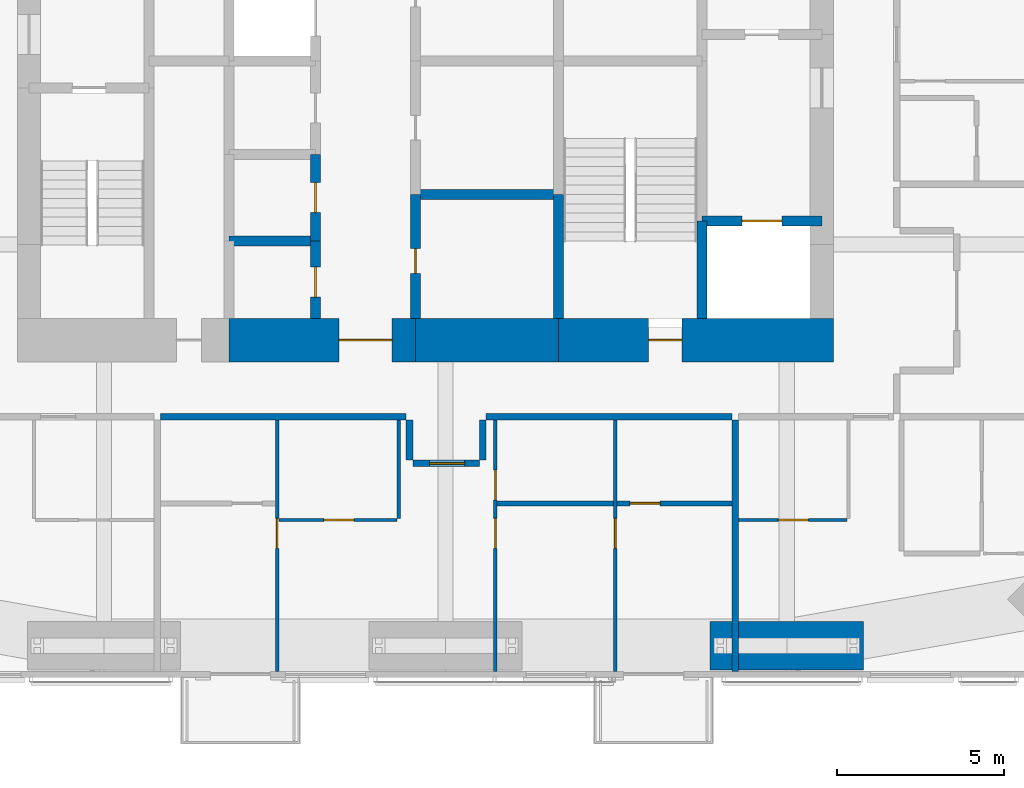
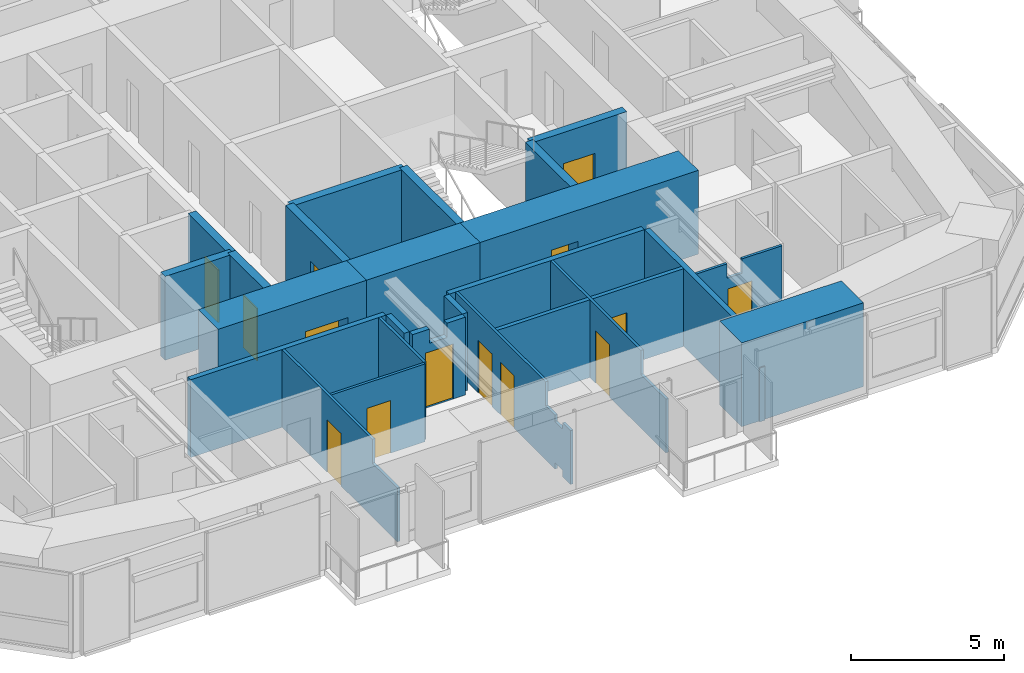
# One storey, part 16 of 22: 26 walls, 14 doors, 14 openings.
"""IFC4 building model written with IfcOpenShell, lengths in metres."""

from ifc_helpers import new_model, si_unit, direction, frame, frame_2d, origin, place, context, subcontext, project, spatial, polyline, rectangle, outline, extrude, material, layer, layer_set, constituent, constituent_set, type_object, element, fill, save


model = new_model("IFC4")

# Units and contexts
model_context = context("Model", 3, precision=1e-05, world=origin(), true_north=direction((0.0, 1.0)))
body_context = subcontext(model_context, "Body", "Model", "MODEL_VIEW")
ifc_project = project(units=[si_unit("LENGTHUNIT", "METRE"), si_unit("AREAUNIT", "SQUARE_METRE"), si_unit("VOLUMEUNIT", "CUBIC_METRE"), si_unit("PLANEANGLEUNIT", "RADIAN"), si_unit("MASSUNIT", "GRAM", prefix="KILO")], contexts=[model_context])

# Site, building, storey
site_placement = place(None, origin())
site = spatial("IfcSite", under=ifc_project, at=site_placement, CompositionType="ELEMENT")
building_placement = place(site_placement, origin())
building = spatial("IfcBuilding", under=site, at=building_placement, Name="Jalousie Tower", CompositionType="ELEMENT")
storey_placement = place(building_placement, frame((0.0, 0.0, 174.449951171875)))
storey = spatial("IfcBuildingStorey", under=building, at=storey_placement, Name="L47", CompositionType="ELEMENT", Elevation=174.449951171875)

# Wall
ifc_material_1 = material(Name="Concrete block ASTM C90", Category="concrete")
ifc_constituent_1 = constituent(ifc_material_1, Name="Body")
ifc_material_2 = material(Name="Render")
ifc_constituent_2 = constituent(ifc_material_2, Name="Finish")
ifc_constituent_set_1 = constituent_set(constituents=[ifc_constituent_1, ifc_constituent_2])
wall_type_1 = type_object("IfcWallType", Name="BATHROOM WALL 150", PredefinedType="PLUMBINGWALL", material=ifc_constituent_set_1)
wall_1_placement = place(storey_placement, frame((34.050048828125, 5.22509765625, 0.0), z_axis=(0.0, 0.0, 1.0), x_axis=(1.0, 0.0, 0.0)))
element("IfcWall", 1, at=wall_1_placement, inside=storey, type_object=wall_type_1, Name="Bathroom Wall 150 L47", PredefinedType="PLUMBINGWALL", context=body_context, shape_type="SweptSolid", body=[
    extrude(rectangle(XDim=3.5, YDim=0.14990234375, at=frame_2d((1.75, 0.0))), origin(), (0.0, 0.0, 1.0), 3.110107421875),
])

# Wall, opening, door
wall_2_placement = place(storey_placement, frame((37.64990234375, 5.22509765625, 0.0), z_axis=(0.0, 0.0, 1.0), x_axis=(1.0, 0.0, 0.0)))
wall_2 = element("IfcWall", 2, at=wall_2_placement, inside=storey, type_object=wall_type_1, Name="Bathroom Wall 150 L47", PredefinedType="PLUMBINGWALL", context=body_context, shape_type="SweptSolid", body=[
    extrude(rectangle(XDim=3.4501953125, YDim=0.14990234375, at=frame_2d((1.72509765625, 0.0))), origin(), (0.0, 0.0, 1.0), 3.110107421875),
])
opening_1_placement = place(wall_2_placement, frame((0.39990234375, 0.0, 0.0)))
opening_1 = element("IfcOpeningElement", 3, at=opening_1_placement, cuts=wall_2, Name="Opening D3", PredefinedType="OPENING", context=body_context, shape_type="SweptSolid", body=[
    extrude(rectangle(XDim=0.89990234375, YDim=2.10009765625, at=frame_2d((0.449951171875, 1.050048828125))), frame((0.0, 0.0849609375, 0.0), z_axis=(0.0, -1.0, 0.0), x_axis=(1.0, 0.0, 0.0)), (0.0, 0.0, 1.0), 0.169921875),
])
ifc_material_3 = material(Name="Timber door", Category="wood")
door_type_1 = type_object("IfcDoorType", Name="BATHROOM DOOR 900", OperationType="SINGLE_SWING_LEFT", PredefinedType="DOOR", material=ifc_material_3)
door_1_placement = place(opening_1_placement, origin())
door_1 = element("IfcDoor", 4, at=door_1_placement, inside=storey, type_object=door_type_1, Name="Apartment 4702 bedroom 3 bathroom door", OperationType="SINGLE_SWING_LEFT", OverallHeight=2.10009765625, OverallWidth=0.89990234375, PredefinedType="DOOR", context=body_context, shape_type="SweptSolid", body=[
    extrude(rectangle(XDim=0.89990234375, YDim=2.10009765625, at=frame_2d((0.449951171875, 1.050048828125))), frame((0.0, 0.02490234375, 0.0), z_axis=(0.0, -1.0, 0.0), x_axis=(1.0, 0.0, 0.0)), (0.0, 0.0, 1.0), 0.050048828125),
])
fill(opening_1, door_1)

ifc_material_4 = material(Name="Concrete f'c 120 MPa", Category="concrete")
ifc_layer_1 = layer(ifc_material_4, 1.300048828125)
ifc_layer_set_1 = layer_set([ifc_layer_1], Name="Concrete f'c 120 MPa")
wall_type_2 = type_object("IfcWallType", Name="CORE WALL 1300", PredefinedType="SHEAR", material=ifc_layer_set_1)
wall_3_placement = place(storey_placement, frame((26.0, 10.125, 0.0), z_axis=(0.0, 0.0, 1.0), x_axis=(1.0, 0.0, 0.0)))
wall_3 = element("IfcWall", 5, at=wall_3_placement, inside=storey, type_object=wall_type_2, Name="Core wall SB L47", PredefinedType="SHEAR", context=body_context, shape_type="SweptSolid", body=[
    extrude(rectangle(XDim=5.60009765625, YDim=1.300048828125, at=frame_2d((2.800048828125, 0.0))), origin(), (0.0, 0.0, 1.0), 3.35009765625),
])
opening_2_placement = place(wall_3_placement, frame((3.300048828125, 0.0, 0.0)))
opening_2 = element("IfcOpeningElement", 6, at=opening_2_placement, cuts=wall_3, Name="Opening D15", PredefinedType="OPENING", context=body_context, shape_type="SweptSolid", body=[
    extrude(rectangle(XDim=1.60009765625, YDim=2.10009765625, at=frame_2d((0.800048828125, 1.050048828125))), frame((0.0, 0.659912109375, 0.0), z_axis=(0.0, -1.0, 0.0), x_axis=(1.0, 0.0, 0.0)), (0.0, 0.0, 1.0), 1.320068359375),
])
ifc_material_5 = material(Name="Steel fire door", Category="steel")
door_type_2 = type_object("IfcDoorType", Name="LIFT LOBBY DOOR 1600", OperationType="DOUBLE_DOOR_SINGLE_SWING", PredefinedType="DOOR", material=ifc_material_5)
door_2_placement = place(opening_2_placement, origin())
door_2 = element("IfcDoor", 7, at=door_2_placement, inside=storey, type_object=door_type_2, Name="Lift lobby south door", OperationType="DOUBLE_DOOR_SINGLE_SWING", OverallHeight=2.10009765625, OverallWidth=1.60009765625, PredefinedType="DOOR", context=body_context, shape_type="SweptSolid", body=[
    extrude(rectangle(XDim=1.60009765625, YDim=2.10009765625, at=frame_2d((0.800048828125, 1.050048828125))), frame((0.0, 0.02490234375, 0.0), z_axis=(0.0, -1.0, 0.0), x_axis=(1.0, 0.0, 0.0)), (0.0, 0.0, 1.0), 0.050048828125),
])
fill(opening_2, door_2)

# Wall
wall_4_placement = place(storey_placement, frame((31.60009765625, 10.125, 0.0), z_axis=(0.0, 0.0, 1.0), x_axis=(1.0, 0.0, 0.0)))
element("IfcWall", 8, at=wall_4_placement, inside=storey, type_object=wall_type_2, Name="Core wall SC L47", PredefinedType="SHEAR", context=body_context, shape_type="SweptSolid", body=[
    extrude(rectangle(XDim=4.2998046875, YDim=1.300048828125, at=frame_2d((2.14990234375, 0.0))), origin(), (0.0, 0.0, 1.0), 3.35009765625),
])

# Wall, opening, door
wall_5_placement = place(storey_placement, frame((35.89990234375, 10.125, 0.0), z_axis=(0.0, 0.0, 1.0), x_axis=(1.0, 0.0, 0.0)))
wall_5 = element("IfcWall", 9, at=wall_5_placement, inside=storey, type_object=wall_type_2, Name="Core wall SD L47", PredefinedType="SHEAR", context=body_context, shape_type="SweptSolid", body=[
    extrude(rectangle(XDim=8.25, YDim=1.300048828125, at=frame_2d((4.125, 0.0))), origin(), (0.0, 0.0, 1.0), 3.35009765625),
])
opening_3_placement = place(wall_5_placement, frame((2.699951171875, 0.0, 0.0)))
opening_3 = element("IfcOpeningElement", 10, at=opening_3_placement, cuts=wall_5, Name="Opening D10", PredefinedType="OPENING", context=body_context, shape_type="SweptSolid", body=[
    extrude(rectangle(XDim=1.0, YDim=2.10009765625, at=frame_2d((0.5, 1.050048828125))), frame((0.0, 0.659912109375, 0.0), z_axis=(0.0, -1.0, 0.0), x_axis=(1.0, 0.0, 0.0)), (0.0, 0.0, 1.0), 1.320068359375),
])
ifc_material_6 = material(Name="Steel fire door", Category="steel")
door_type_3 = type_object("IfcDoorType", Name="STAIR DOOR 1000", OperationType="SINGLE_SWING_LEFT", PredefinedType="DOOR", material=ifc_material_6)
door_3_placement = place(opening_3_placement, origin())
door_3 = element("IfcDoor", 11, at=door_3_placement, inside=storey, type_object=door_type_3, Name="Exit stair C door", OperationType="SINGLE_SWING_RIGHT", OverallHeight=2.10009765625, OverallWidth=1.0, PredefinedType="DOOR", context=body_context, shape_type="SweptSolid", body=[
    extrude(rectangle(XDim=1.0, YDim=2.10009765625, at=frame_2d((0.5, 1.050048828125))), frame((0.0, 0.02490234375, 0.0), z_axis=(0.0, -1.0, 0.0), x_axis=(1.0, 0.0, 0.0)), (0.0, 0.0, 1.0), 0.050048828125),
])
fill(opening_3, door_3)

ifc_material_7 = material(Name="Concrete f'c 120 MPa", Category="concrete")
ifc_layer_2 = layer(ifc_material_7, 0.300048828125)
ifc_layer_set_2 = layer_set([ifc_layer_2], Name="Concrete f'c 120 MPa")
wall_type_3 = type_object("IfcWallType", Name="CORE WALL 300", PredefinedType="SHEAR", material=ifc_layer_set_2)
wall_6_placement = place(storey_placement, frame((28.60009765625, 10.77490234375, 0.0), z_axis=(0.0, 0.0, 1.0), x_axis=(0.0, 1.0, 0.0)))
wall_6 = element("IfcWall", 12, at=wall_6_placement, inside=storey, type_object=wall_type_3, Name="Core wall X28.6A L47", PredefinedType="SHEAR", context=body_context, shape_type="SweptSolid", body=[
    extrude(rectangle(XDim=2.3251953125, YDim=0.300048828125, at=frame_2d((1.16259765625, 0.0))), origin(), (0.0, 0.0, 1.0), 3.35009765625),
])
opening_4_placement = place(wall_6_placement, frame((0.637451171875, 0.0, 0.0)))
opening_4 = element("IfcOpeningElement", 13, at=opening_4_placement, cuts=wall_6, Name="Opening D24", PredefinedType="OPENING", context=body_context, shape_type="SweptSolid", body=[
    extrude(rectangle(XDim=0.89990234375, YDim=2.10009765625, at=frame_2d((0.449951171875, 1.050048828125))), frame((0.0, 0.159912109375, 0.0), z_axis=(0.0, -1.0, 0.0), x_axis=(1.0, 0.0, 0.0)), (0.0, 0.0, 1.0), 0.320068359375),
])
ifc_material_8 = material(Name="Steel fire door", Category="steel")
door_type_4 = type_object("IfcDoorType", Name="CORE ROOM DOOR 900", OperationType="SINGLE_SWING_LEFT", PredefinedType="DOOR", material=ifc_material_8)
door_4_placement = place(opening_4_placement, origin())
door_4 = element("IfcDoor", 14, at=door_4_placement, inside=storey, type_object=door_type_4, Name="Staff WC door", OperationType="SINGLE_SWING_RIGHT", OverallHeight=2.10009765625, OverallWidth=0.89990234375, PredefinedType="DOOR", context=body_context, shape_type="SweptSolid", body=[
    extrude(rectangle(XDim=0.89990234375, YDim=2.10009765625, at=frame_2d((0.449951171875, 1.050048828125))), frame((0.0, 0.02490234375, 0.0), z_axis=(0.0, -1.0, 0.0), x_axis=(1.0, 0.0, 0.0)), (0.0, 0.0, 1.0), 0.050048828125),
])
fill(opening_4, door_4)

wall_7_placement = place(storey_placement, frame((28.60009765625, 13.10009765625, 0.0), z_axis=(0.0, 0.0, 1.0), x_axis=(0.0, 1.0, 0.0)))
wall_7 = element("IfcWall", 15, at=wall_7_placement, inside=storey, type_object=wall_type_3, Name="Core wall X28.6B L47", PredefinedType="SHEAR", context=body_context, shape_type="SweptSolid", body=[
    extrude(rectangle(XDim=2.599853515625, YDim=0.300048828125, at=frame_2d((1.2998046875, 0.0))), origin(), (0.0, 0.0, 1.0), 3.35009765625),
])
opening_5_placement = place(wall_7_placement, frame((0.85009765625, 0.0, 0.0)))
opening_5 = element("IfcOpeningElement", 16, at=opening_5_placement, cuts=wall_7, Name="Opening D24", PredefinedType="OPENING", context=body_context, shape_type="SweptSolid", body=[
    extrude(rectangle(XDim=0.89990234375, YDim=2.10009765625, at=frame_2d((0.449951171875, 1.050048828125))), frame((0.0, 0.159912109375, 0.0), z_axis=(0.0, -1.0, 0.0), x_axis=(1.0, 0.0, 0.0)), (0.0, 0.0, 1.0), 0.320068359375),
])
door_5_placement = place(opening_5_placement, origin())
door_5 = element("IfcDoor", 17, at=door_5_placement, inside=storey, type_object=door_type_4, Name="IT room door", OperationType="SINGLE_SWING_RIGHT", OverallHeight=2.10009765625, OverallWidth=0.89990234375, PredefinedType="DOOR", context=body_context, shape_type="SweptSolid", body=[
    extrude(rectangle(XDim=0.89990234375, YDim=2.10009765625, at=frame_2d((0.449951171875, 1.050048828125))), frame((0.0, 0.02490234375, 0.0), z_axis=(0.0, -1.0, 0.0), x_axis=(1.0, 0.0, 0.0)), (0.0, 0.0, 1.0), 0.050048828125),
])
fill(opening_5, door_5)

wall_8_placement = place(storey_placement, frame((31.60009765625, 10.77490234375, 0.0), z_axis=(0.0, 0.0, 1.0), x_axis=(0.0, 1.0, 0.0)))
wall_8 = element("IfcWall", 18, at=wall_8_placement, inside=storey, type_object=wall_type_3, Name="Core wall X31.6A L47", PredefinedType="SHEAR", context=body_context, shape_type="SweptSolid", body=[
    extrude(rectangle(XDim=3.72509765625, YDim=0.300048828125, at=frame_2d((1.862548828125, 0.0))), origin(), (0.0, 0.0, 1.0), 3.35009765625),
])
opening_6_placement = place(wall_8_placement, frame((1.35009765625, 0.0, 0.0)))
opening_6 = element("IfcOpeningElement", 19, at=opening_6_placement, cuts=wall_8, Name="Opening D16", PredefinedType="OPENING", context=body_context, shape_type="SweptSolid", body=[
    extrude(rectangle(XDim=0.75, YDim=2.10009765625, at=frame_2d((0.375, 1.050048828125))), frame((0.0, 0.159912109375, 0.0), z_axis=(0.0, -1.0, 0.0), x_axis=(1.0, 0.0, 0.0)), (0.0, 0.0, 1.0), 0.320068359375),
])
ifc_material_9 = material(Name="Steel fire door", Category="steel")
door_type_5 = type_object("IfcDoorType", Name="RISER DOOR 750", OperationType="SINGLE_SWING_LEFT", PredefinedType="DOOR", material=ifc_material_9)
door_6_placement = place(opening_6_placement, frame((0.75, 0.0, 0.0), z_axis=(0.0, 0.0, 1.0), x_axis=(-1.0, 0.0, 0.0)))
door_6 = element("IfcDoor", 20, at=door_6_placement, inside=storey, type_object=door_type_5, Name="Refuse Room door", OperationType="SINGLE_SWING_RIGHT", OverallHeight=2.10009765625, OverallWidth=0.75, PredefinedType="DOOR", context=body_context, shape_type="SweptSolid", body=[
    extrude(rectangle(XDim=0.75, YDim=2.10009765625, at=frame_2d((0.375, 1.050048828125))), frame((0.0, 0.02490234375, 0.0), z_axis=(0.0, -1.0, 0.0), x_axis=(1.0, 0.0, 0.0)), (0.0, 0.0, 1.0), 0.050048828125),
])
fill(opening_6, door_6)

# Walls
wall_9_placement = place(storey_placement, frame((35.89990234375, 10.77490234375, 0.0), z_axis=(0.0, 0.0, 1.0), x_axis=(0.0, 1.0, 0.0)))
element("IfcWall", 21, at=wall_9_placement, inside=storey, type_object=wall_type_3, Name="Core wall X35.9A L47", PredefinedType="SHEAR", context=body_context, shape_type="SweptSolid", body=[
    extrude(rectangle(XDim=3.72509765625, YDim=0.300048828125, at=frame_2d((1.862548828125, 0.0))), origin(), (0.0, 0.0, 1.0), 3.35009765625),
])
wall_10_placement = place(storey_placement, frame((40.199951171875, 10.77490234375, 0.0), z_axis=(0.0, 0.0, 1.0), x_axis=(0.0, 1.0, 0.0)))
element("IfcWall", 22, at=wall_10_placement, inside=storey, type_object=wall_type_3, Name="Core wall X40.2A L47", PredefinedType="SHEAR", context=body_context, shape_type="SweptSolid", body=[
    extrude(rectangle(XDim=2.925048828125, YDim=0.300048828125, at=frame_2d((1.46240234375, 0.0))), origin(), (0.0, 0.0, 1.0), 3.35009765625),
])
wall_11_placement = place(storey_placement, frame((26.0, 13.10009765625, 0.0), z_axis=(0.0, 0.0, 1.0), x_axis=(1.0, 0.0, 0.0)))
element("IfcWall", 23, at=wall_11_placement, inside=storey, type_object=wall_type_3, Name="Core wall Y26-13.1 L47", PredefinedType="SHEAR", context=body_context, shape_type="SweptSolid", body=[
    extrude(rectangle(XDim=2.60009765625, YDim=0.300048828125, at=frame_2d((1.300048828125, 0.0))), origin(), (0.0, 0.0, 1.0), 3.35009765625),
])
wall_12_placement = place(storey_placement, frame((31.60009765625, 14.5, 0.0), z_axis=(0.0, 0.0, 1.0), x_axis=(1.0, 0.0, 0.0)))
element("IfcWall", 24, at=wall_12_placement, inside=storey, type_object=wall_type_3, Name="Core wall Y31.6-14.5 L47", PredefinedType="SHEAR", context=body_context, shape_type="SweptSolid", body=[
    extrude(rectangle(XDim=4.2998046875, YDim=0.300048828125, at=frame_2d((2.14990234375, 0.0))), origin(), (0.0, 0.0, 1.0), 3.35009765625),
])

# Wall, opening, door
wall_13_placement = place(storey_placement, frame((40.199951171875, 13.699951171875, 0.0), z_axis=(0.0, 0.0, 1.0), x_axis=(1.0, 0.0, 0.0)))
wall_13 = element("IfcWall", 25, at=wall_13_placement, inside=storey, type_object=wall_type_3, Name="Core wall Y40.2-13.7 L47", PredefinedType="SHEAR", context=body_context, shape_type="SweptSolid", body=[
    extrude(rectangle(XDim=3.60009765625, YDim=0.300048828125, at=frame_2d((1.800048828125, 0.0))), origin(), (0.0, 0.0, 1.0), 3.35009765625),
])
opening_7_placement = place(wall_13_placement, frame((1.199951171875, 0.0, 0.0)))
opening_7 = element("IfcOpeningElement", 26, at=opening_7_placement, cuts=wall_13, Name="Opening LD2", PredefinedType="OPENING", context=body_context, shape_type="SweptSolid", body=[
    extrude(rectangle(XDim=1.199951171875, YDim=2.10009765625, at=frame_2d((0.60009765625, 1.050048828125))), frame((0.0, 0.159912109375, 0.0), z_axis=(0.0, -1.0, 0.0), x_axis=(1.0, 0.0, 0.0)), (0.0, 0.0, 1.0), 0.320068359375),
])
ifc_material_10 = material(Name="Steel lift landing door", Category="steel")
door_type_6 = type_object("IfcDoorType", Name="LIFT LANDING DOOR 1200", OperationType="SLIDING_TO_LEFT", PredefinedType="DOOR", material=ifc_material_10)
door_7_placement = place(opening_7_placement, origin())
door_7 = element("IfcDoor", 27, at=door_7_placement, inside=storey, type_object=door_type_6, Name="Lift F2 landing door", OperationType="SLIDING_TO_LEFT", OverallHeight=2.10009765625, OverallWidth=1.199951171875, PredefinedType="DOOR", context=body_context, shape_type="SweptSolid", body=[
    extrude(rectangle(XDim=1.199951171875, YDim=2.10009765625, at=frame_2d((0.60009765625, 1.050048828125))), frame((0.0, 0.02490234375, 0.0), z_axis=(0.0, -1.0, 0.0), x_axis=(1.0, 0.0, 0.0)), (0.0, 0.0, 1.0), 0.050048828125),
])
fill(opening_7, door_7)

# Walls
ifc_material_11 = material(Name="Concrete block ASTM C90", Category="concrete")
ifc_constituent_3 = constituent(ifc_material_11, Name="Body")
ifc_material_12 = material(Name="Render")
ifc_constituent_4 = constituent(ifc_material_12, Name="Finish")
ifc_constituent_set_2 = constituent_set(constituents=[ifc_constituent_3, ifc_constituent_4])
wall_type_4 = type_object("IfcWallType", Name="CORRIDOR WALL 200", PredefinedType="PARTITIONING", material=ifc_constituent_set_2)
for number, where, z_axis, x_axis, name in (
    (28, (23.949951171875, 7.824951171875, 0.0), (0.0, 0.0, 1.0), (1.0, 0.0, 0.0), "Corridor Wall 200 L47"),
    (29, (33.72509765625, 7.824951171875, 0.0), (0.0, 0.0, 1.0), (1.0, 0.0, 0.0), "Corridor Wall 200 L47"),
):
    element("IfcWall", number, at=place(storey_placement, frame(where, z_axis=z_axis, x_axis=x_axis)), inside=storey, type_object=wall_type_4, Name=name, PredefinedType="PARTITIONING", context=body_context, shape_type="SweptSolid", body=[
        extrude(rectangle(XDim=7.375, YDim=0.199951171875, at=frame_2d((3.6875, 0.0))), origin(), (0.0, 0.0, 1.0), 3.110107421875),
    ])

# Wall, opening, door
wall_14_placement = place(storey_placement, frame((31.52490234375, 6.425048828125, 0.0), z_axis=(0.0, 0.0, 1.0), x_axis=(1.0, 0.0, 0.0)))
wall_14 = element("IfcWall", 30, at=wall_14_placement, inside=storey, type_object=wall_type_4, Name="Corridor Wall 200 L47", PredefinedType="PARTITIONING", context=body_context, shape_type="SweptSolid", body=[
    extrude(outline(polyline([(0.0, 0.0), (2.0, 0.0), (2.0, 3.110107421875), (1.312255859375, 3.110107421875), (1.312255859375, 2.541015625), (0.6376953125, 2.541015625), (0.6376953125, 3.110107421875), (0.0, 3.110107421875), (0.0, 0.0)])), frame((0.0, 0.10009765625, 0.0), z_axis=(0.0, -1.0, 0.0), x_axis=(1.0, 0.0, 0.0)), (0.0, 0.0, 1.0), 0.199951171875),
])
opening_8_placement = place(wall_14_placement, frame((0.5, 0.0, 0.0)))
opening_8 = element("IfcOpeningElement", 31, at=opening_8_placement, cuts=wall_14, Name="Opening D1", PredefinedType="OPENING", context=body_context, shape_type="SweptSolid", body=[
    extrude(rectangle(XDim=1.050048828125, YDim=2.199951171875, at=frame_2d((0.52490234375, 1.10009765625))), frame((0.0, 0.10986328125, 0.0), z_axis=(0.0, -1.0, 0.0), x_axis=(1.0, 0.0, 0.0)), (0.0, 0.0, 1.0), 0.219970703125),
])
ifc_material_13 = material(Name="Timber fire door", Category="wood")
door_type_7 = type_object("IfcDoorType", Name="APARTMENT ENTRANCE DOOR 1050", OperationType="SINGLE_SWING_LEFT", PredefinedType="DOOR", material=ifc_material_13)
door_8_placement = place(opening_8_placement, frame((1.050048828125, 0.0, 0.0), z_axis=(0.0, 0.0, 1.0), x_axis=(-1.0, 0.0, 0.0)))
door_8 = element("IfcDoor", 32, at=door_8_placement, inside=storey, type_object=door_type_7, Name="Apartment 4702 entrance", OperationType="SINGLE_SWING_RIGHT", OverallHeight=2.199951171875, OverallWidth=1.050048828125, PredefinedType="DOOR", context=body_context, shape_type="SweptSolid", body=[
    extrude(rectangle(XDim=1.050048828125, YDim=2.199951171875, at=frame_2d((0.52490234375, 1.10009765625))), frame((0.0, 0.02490234375, 0.0), z_axis=(0.0, -1.0, 0.0), x_axis=(1.0, 0.0, 0.0)), (0.0, 0.0, 1.0), 0.050048828125),
])
fill(opening_8, door_8)

# Walls
for number, where, z_axis, x_axis, name in (
    (33, (31.425048828125, 7.72509765625, 0.0), (0.0, 0.0, 1.0), (0.0, -1.0, 0.0), "Corridor Wall 200 L47"),
    (34, (33.625, 7.72509765625, 0.0), (0.0, 0.0, 1.0), (0.0, -1.0, 0.0), "Corridor Wall 200 L47"),
):
    element("IfcWall", number, at=place(storey_placement, frame(where, z_axis=z_axis, x_axis=x_axis)), inside=storey, type_object=wall_type_4, Name=name, PredefinedType="PARTITIONING", context=body_context, shape_type="SweptSolid", body=[
        extrude(rectangle(XDim=1.2001953125, YDim=0.199951171875, at=frame_2d((0.60009765625, 0.0))), origin(), (0.0, 0.0, 1.0), 3.110107421875),
    ])

# Wall, opening, door
ifc_material_14 = material(Name="Gypsum board", Category="gypsum")
ifc_constituent_5 = constituent(ifc_material_14, Name="Body")
ifc_material_15 = material(Name="Light-gauge steel studs ASTM A653 SS Grade 33", Category="steel")
ifc_constituent_6 = constituent(ifc_material_15, Name="Framing")
ifc_constituent_set_3 = constituent_set(constituents=[ifc_constituent_5, ifc_constituent_6])
wall_type_5 = type_object("IfcWallType", Name="PARTITION 100", PredefinedType="PARTITIONING", material=ifc_constituent_set_3)
wall_15_placement = place(storey_placement, frame((27.449951171875, 0.175048828125, 0.0), z_axis=(0.0, 0.0, 1.0), x_axis=(0.0, 1.0, 0.0)))
wall_15 = element("IfcWall", 35, at=wall_15_placement, inside=storey, type_object=wall_type_5, Name="Partition 100 L47", PredefinedType="PARTITIONING", context=body_context, shape_type="SweptSolid", body=[
    extrude(outline(polyline([(0.0, 0.0), (7.550048828125, 0.0), (7.550048828125, 3.110107421875), (1.635009765625, 3.110107421875), (1.635009765625, 2.150146484375), (0.0, 2.150146484375), (0.0, 3.110107421875), (0.0, 0.0)])), frame((0.0, 0.050048828125, 0.0), z_axis=(0.0, -1.0, 0.0), x_axis=(1.0, 0.0, 0.0)), (0.0, 0.0, 1.0), 0.10009765625),
])
opening_9_placement = place(wall_15_placement, frame((3.699951171875, 0.0, 0.0)))
opening_9 = element("IfcOpeningElement", 36, at=opening_9_placement, cuts=wall_15, Name="Opening D2", PredefinedType="OPENING", context=body_context, shape_type="SweptSolid", body=[
    extrude(rectangle(XDim=0.89990234375, YDim=2.10009765625, at=frame_2d((0.449951171875, 1.050048828125))), frame((0.0, 0.06005859375, 0.0), z_axis=(0.0, -1.0, 0.0), x_axis=(1.0, 0.0, 0.0)), (0.0, 0.0, 1.0), 0.1201171875),
])
ifc_material_16 = material(Name="Timber door", Category="wood")
door_type_8 = type_object("IfcDoorType", Name="BEDROOM DOOR 900", OperationType="SINGLE_SWING_LEFT", PredefinedType="DOOR", material=ifc_material_16)
door_9_placement = place(opening_9_placement, origin())
door_9 = element("IfcDoor", 37, at=door_9_placement, inside=storey, type_object=door_type_8, Name="Apartment 4702 bedroom 1 door", OperationType="SINGLE_SWING_RIGHT", OverallHeight=2.10009765625, OverallWidth=0.89990234375, PredefinedType="DOOR", context=body_context, shape_type="SweptSolid", body=[
    extrude(rectangle(XDim=0.89990234375, YDim=2.10009765625, at=frame_2d((0.449951171875, 1.050048828125))), frame((0.0, 0.02490234375, 0.0), z_axis=(0.0, -1.0, 0.0), x_axis=(1.0, 0.0, 0.0)), (0.0, 0.0, 1.0), 0.050048828125),
])
fill(opening_9, door_9)

# Wall, openings, doors
wall_16_placement = place(storey_placement, frame((34.0, 0.175048828125, 0.0), z_axis=(0.0, 0.0, 1.0), x_axis=(0.0, 1.0, 0.0)))
wall_16 = element("IfcWall", 38, at=wall_16_placement, inside=storey, type_object=wall_type_5, Name="Partition 100 L47", PredefinedType="PARTITIONING", context=body_context, shape_type="SweptSolid", body=[
    extrude(outline(polyline([(0.52880859375, 2.150146484375), (0.0, 2.150146484375), (0.0, 0.0), (0.52880859375, 0.0), (0.52880859375, 0.248291015625), (1.021240234375, 0.248291015625), (1.021240234375, 0.0), (7.550048828125, 0.0), (7.550048828125, 3.110107421875), (1.635009765625, 3.110107421875), (1.635009765625, 2.150146484375), (1.021240234375, 2.150146484375), (1.021240234375, 1.90185546875), (0.52880859375, 1.90185546875), (0.52880859375, 2.150146484375)])), frame((0.0, 0.050048828125, 0.0), z_axis=(0.0, -1.0, 0.0), x_axis=(1.0, 0.0, 0.0)), (0.0, 0.0, 1.0), 0.10009765625),
])
opening_10_placement = place(wall_16_placement, frame((3.699951171875, 0.0, 0.0)))
opening_10 = element("IfcOpeningElement", 39, at=opening_10_placement, cuts=wall_16, Name="Opening D2", PredefinedType="OPENING", context=body_context, shape_type="SweptSolid", body=[
    extrude(rectangle(XDim=0.89990234375, YDim=2.10009765625, at=frame_2d((0.449951171875, 1.050048828125))), frame((0.0, 0.06005859375, 0.0), z_axis=(0.0, -1.0, 0.0), x_axis=(1.0, 0.0, 0.0)), (0.0, 0.0, 1.0), 0.1201171875),
])
opening_11_placement = place(wall_16_placement, frame((5.14990234375, 0.0, 0.0)))
opening_11 = element("IfcOpeningElement", 40, at=opening_11_placement, cuts=wall_16, Name="Opening D7", PredefinedType="OPENING", context=body_context, shape_type="SweptSolid", body=[
    extrude(rectangle(XDim=0.89990234375, YDim=2.10009765625, at=frame_2d((0.449951171875, 1.050048828125))), frame((0.0, 0.06005859375, 0.0), z_axis=(0.0, -1.0, 0.0), x_axis=(1.0, 0.0, 0.0)), (0.0, 0.0, 1.0), 0.1201171875),
])
door_10_placement = place(opening_10_placement, frame((0.89990234375, 0.0, 0.0), z_axis=(0.0, 0.0, 1.0), x_axis=(-1.0, 0.0, 0.0)))
door_10 = element("IfcDoor", 41, at=door_10_placement, inside=storey, type_object=door_type_8, Name="Apartment 4702 bedroom 2 door", OperationType="SINGLE_SWING_LEFT", OverallHeight=2.10009765625, OverallWidth=0.89990234375, PredefinedType="DOOR", context=body_context, shape_type="SweptSolid", body=[
    extrude(rectangle(XDim=0.89990234375, YDim=2.10009765625, at=frame_2d((0.449951171875, 1.050048828125))), frame((0.0, 0.02490234375, 0.0), z_axis=(0.0, -1.0, 0.0), x_axis=(1.0, 0.0, 0.0)), (0.0, 0.0, 1.0), 0.050048828125),
])
fill(opening_10, door_10)
ifc_material_17 = material(Name="Timber door", Category="wood")
door_type_9 = type_object("IfcDoorType", Name="INTERNAL DOOR 900", OperationType="SINGLE_SWING_LEFT", PredefinedType="DOOR", material=ifc_material_17)
door_11_placement = place(opening_11_placement, frame((0.89990234375, 0.0, 0.0), z_axis=(0.0, 0.0, 1.0), x_axis=(-1.0, 0.0, 0.0)))
door_11 = element("IfcDoor", 42, at=door_11_placement, inside=storey, type_object=door_type_9, Name="Apartment 4702 bathroom door", OperationType="SINGLE_SWING_RIGHT", OverallHeight=2.10009765625, OverallWidth=0.89990234375, PredefinedType="DOOR", context=body_context, shape_type="SweptSolid", body=[
    extrude(rectangle(XDim=0.89990234375, YDim=2.10009765625, at=frame_2d((0.449951171875, 1.050048828125))), frame((0.0, 0.02490234375, 0.0), z_axis=(0.0, -1.0, 0.0), x_axis=(1.0, 0.0, 0.0)), (0.0, 0.0, 1.0), 0.050048828125),
])
fill(opening_11, door_11)

# Wall, opening, door
wall_17_placement = place(storey_placement, frame((37.60009765625, 0.175048828125, 0.0), z_axis=(0.0, 0.0, 1.0), x_axis=(0.0, 1.0, 0.0)))
wall_17 = element("IfcWall", 43, at=wall_17_placement, inside=storey, type_object=wall_type_5, Name="Partition 100 L47", PredefinedType="PARTITIONING", context=body_context, shape_type="SweptSolid", body=[
    extrude(outline(polyline([(0.0, 0.0), (7.550048828125, 0.0), (7.550048828125, 3.110107421875), (1.635009765625, 3.110107421875), (1.635009765625, 2.150146484375), (0.0, 2.150146484375), (0.0, 3.110107421875), (0.0, 0.0)])), frame((0.0, 0.050048828125, 0.0), z_axis=(0.0, -1.0, 0.0), x_axis=(1.0, 0.0, 0.0)), (0.0, 0.0, 1.0), 0.10009765625),
])
opening_12_placement = place(wall_17_placement, frame((3.699951171875, 0.0, 0.0)))
opening_12 = element("IfcOpeningElement", 44, at=opening_12_placement, cuts=wall_17, Name="Opening D2", PredefinedType="OPENING", context=body_context, shape_type="SweptSolid", body=[
    extrude(rectangle(XDim=0.89990234375, YDim=2.10009765625, at=frame_2d((0.449951171875, 1.050048828125))), frame((0.0, 0.06005859375, 0.0), z_axis=(0.0, -1.0, 0.0), x_axis=(1.0, 0.0, 0.0)), (0.0, 0.0, 1.0), 0.1201171875),
])
door_12_placement = place(opening_12_placement, origin())
door_12 = element("IfcDoor", 45, at=door_12_placement, inside=storey, type_object=door_type_8, Name="Apartment 4702 bedroom 3 door", OperationType="SINGLE_SWING_RIGHT", OverallHeight=2.10009765625, OverallWidth=0.89990234375, PredefinedType="DOOR", context=body_context, shape_type="SweptSolid", body=[
    extrude(rectangle(XDim=0.89990234375, YDim=2.10009765625, at=frame_2d((0.449951171875, 1.050048828125))), frame((0.0, 0.02490234375, 0.0), z_axis=(0.0, -1.0, 0.0), x_axis=(1.0, 0.0, 0.0)), (0.0, 0.0, 1.0), 0.050048828125),
])
fill(opening_12, door_12)

wall_18_placement = place(storey_placement, frame((27.5, 4.72509765625, 0.0), z_axis=(0.0, 0.0, 1.0), x_axis=(1.0, 0.0, 0.0)))
wall_18 = element("IfcWall", 46, at=wall_18_placement, inside=storey, type_object=wall_type_5, Name="Partition 100 L47", PredefinedType="PARTITIONING", context=body_context, shape_type="SweptSolid", body=[
    extrude(rectangle(XDim=3.550048828125, YDim=0.10009765625, at=frame_2d((1.77490234375, 0.0))), origin(), (0.0, 0.0, 1.0), 3.110107421875),
])
opening_13_placement = place(wall_18_placement, frame((1.35009765625, 0.0, 0.0)))
opening_13 = element("IfcOpeningElement", 47, at=opening_13_placement, cuts=wall_18, Name="Opening D7", PredefinedType="OPENING", context=body_context, shape_type="SweptSolid", body=[
    extrude(rectangle(XDim=0.89990234375, YDim=2.10009765625, at=frame_2d((0.449951171875, 1.050048828125))), frame((0.0, 0.06005859375, 0.0), z_axis=(0.0, -1.0, 0.0), x_axis=(1.0, 0.0, 0.0)), (0.0, 0.0, 1.0), 0.1201171875),
])
door_13_placement = place(opening_13_placement, frame((0.89990234375, 0.0, 0.0), z_axis=(0.0, 0.0, 1.0), x_axis=(-1.0, 0.0, 0.0)))
door_13 = element("IfcDoor", 48, at=door_13_placement, inside=storey, type_object=door_type_9, Name="Apartment 4702 kitchen door", OperationType="SINGLE_SWING_RIGHT", OverallHeight=2.10009765625, OverallWidth=0.89990234375, PredefinedType="DOOR", context=body_context, shape_type="SweptSolid", body=[
    extrude(rectangle(XDim=0.89990234375, YDim=2.10009765625, at=frame_2d((0.449951171875, 1.050048828125))), frame((0.0, 0.02490234375, 0.0), z_axis=(0.0, -1.0, 0.0), x_axis=(1.0, 0.0, 0.0)), (0.0, 0.0, 1.0), 0.050048828125),
])
fill(opening_13, door_13)

# Wall
wall_19_placement = place(storey_placement, frame((31.10009765625, 4.77490234375, 0.0), z_axis=(0.0, 0.0, 1.0), x_axis=(0.0, 1.0, 0.0)))
element("IfcWall", 49, at=wall_19_placement, inside=storey, type_object=wall_type_5, Name="Partition 100 L47", PredefinedType="PARTITIONING", context=body_context, shape_type="SweptSolid", body=[
    extrude(rectangle(XDim=2.9501953125, YDim=0.10009765625, at=frame_2d((1.47509765625, 0.0))), origin(), (0.0, 0.0, 1.0), 3.110107421875),
])

# Wall, opening, door
wall_20_placement = place(storey_placement, frame((41.300048828125, 4.72509765625, 0.0), z_axis=(0.0, 0.0, 1.0), x_axis=(1.0, 0.0, 0.0)))
wall_20 = element("IfcWall", 50, at=wall_20_placement, inside=storey, type_object=wall_type_5, Name="Partition 100 L47", PredefinedType="PARTITIONING", context=body_context, shape_type="SweptSolid", body=[
    extrude(outline(polyline([(0.0, 0.0), (3.25, 0.0), (3.25, 3.110107421875), (1.7373046875, 3.110107421875), (1.7373046875, 2.541015625), (1.16259765625, 2.541015625), (1.16259765625, 3.110107421875), (0.0, 3.110107421875), (0.0, 0.0)])), frame((0.0, 0.050048828125, 0.0), z_axis=(0.0, -1.0, 0.0), x_axis=(1.0, 0.0, 0.0)), (0.0, 0.0, 1.0), 0.10009765625),
])
opening_14_placement = place(wall_20_placement, frame((1.199951171875, 0.0, 0.0)))
opening_14 = element("IfcOpeningElement", 51, at=opening_14_placement, cuts=wall_20, Name="Opening D7", PredefinedType="OPENING", context=body_context, shape_type="SweptSolid", body=[
    extrude(rectangle(XDim=0.89990234375, YDim=2.10009765625, at=frame_2d((0.449951171875, 1.050048828125))), frame((0.0, 0.06005859375, 0.0), z_axis=(0.0, -1.0, 0.0), x_axis=(1.0, 0.0, 0.0)), (0.0, 0.0, 1.0), 0.1201171875),
])
door_14_placement = place(opening_14_placement, frame((0.89990234375, 0.0, 0.0), z_axis=(0.0, 0.0, 1.0), x_axis=(-1.0, 0.0, 0.0)))
door_14 = element("IfcDoor", 52, at=door_14_placement, inside=storey, type_object=door_type_9, Name="Apartment 4703 kitchen door", OperationType="SINGLE_SWING_RIGHT", OverallHeight=2.10009765625, OverallWidth=0.89990234375, PredefinedType="DOOR", context=body_context, shape_type="SweptSolid", body=[
    extrude(rectangle(XDim=0.89990234375, YDim=2.10009765625, at=frame_2d((0.449951171875, 1.050048828125))), frame((0.0, 0.02490234375, 0.0), z_axis=(0.0, -1.0, 0.0), x_axis=(1.0, 0.0, 0.0)), (0.0, 0.0, 1.0), 0.050048828125),
])
fill(opening_14, door_14)

# Walls
ifc_material_18 = material(Name="Concrete block ASTM C90", Category="concrete")
ifc_constituent_7 = constituent(ifc_material_18, Name="Body")
ifc_material_19 = material(Name="Render")
ifc_constituent_8 = constituent(ifc_material_19, Name="Finish")
ifc_constituent_set_4 = constituent_set(constituents=[ifc_constituent_7, ifc_constituent_8])
wall_type_6 = type_object("IfcWallType", Name="PARTY WALL 200", PredefinedType="PARTITIONING", material=ifc_constituent_set_4)
wall_21_placement = place(storey_placement, frame((41.199951171875, 0.175048828125, 0.0), z_axis=(0.0, 0.0, 1.0), x_axis=(0.0, 1.0, 0.0)))
element("IfcWall", 53, at=wall_21_placement, inside=storey, type_object=wall_type_6, Name="Party Wall 200 L47", PredefinedType="PARTITIONING", context=body_context, shape_type="SweptSolid", body=[
    extrude(outline(polyline([(0.52880859375, 2.150146484375), (0.0, 2.150146484375), (0.0, 0.0), (0.52880859375, 0.0), (0.52880859375, 0.248291015625), (1.021240234375, 0.248291015625), (1.021240234375, 0.0), (7.550048828125, 0.0), (7.550048828125, 3.110107421875), (1.68505859375, 3.110107421875), (1.68505859375, 2.150146484375), (1.021240234375, 2.150146484375), (1.021240234375, 1.90185546875), (0.52880859375, 1.90185546875), (0.52880859375, 2.150146484375)])), frame((0.0, 0.10009765625, 0.0), z_axis=(0.0, -1.0, 0.0), x_axis=(1.0, 0.0, 0.0)), (0.0, 0.0, 1.0), 0.199951171875),
])
ifc_material_20 = material(Name="Concrete f'c 120 MPa", Category="concrete")
ifc_layer_3 = layer(ifc_material_20, 1.449951171875)
ifc_layer_set_3 = layer_set([ifc_layer_3], Name="Concrete f'c 120 MPa")
wall_type_7 = type_object("IfcWallType", Name="RC WALL PIER 1450", PredefinedType="SHEAR", material=ifc_layer_set_3)
wall_22_placement = place(storey_placement, frame((40.449951171875, 0.949951171875, 0.0), z_axis=(0.0, 0.0, 1.0), x_axis=(1.0, 0.0, 0.0)))
element("IfcWall", 54, at=wall_22_placement, inside=storey, type_object=wall_type_7, Name="Wall pier 04 L47", PredefinedType="SHEAR", context=body_context, shape_type="SweptSolid", body=[
    extrude(rectangle(XDim=4.60009765625, YDim=1.449951171875, at=frame_2d((2.300048828125, 0.0))), origin(), (0.0, 0.0, 1.0), 3.35009765625),
])

save(model, "model.ifc")
